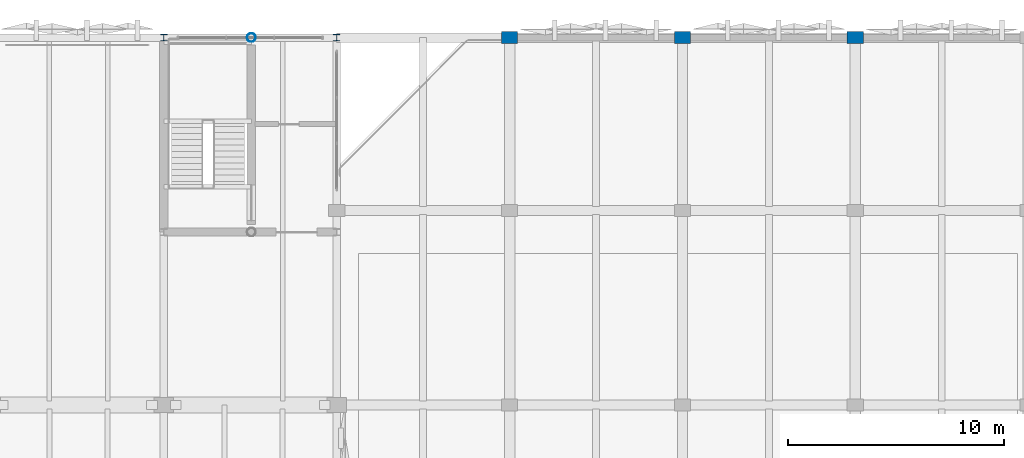
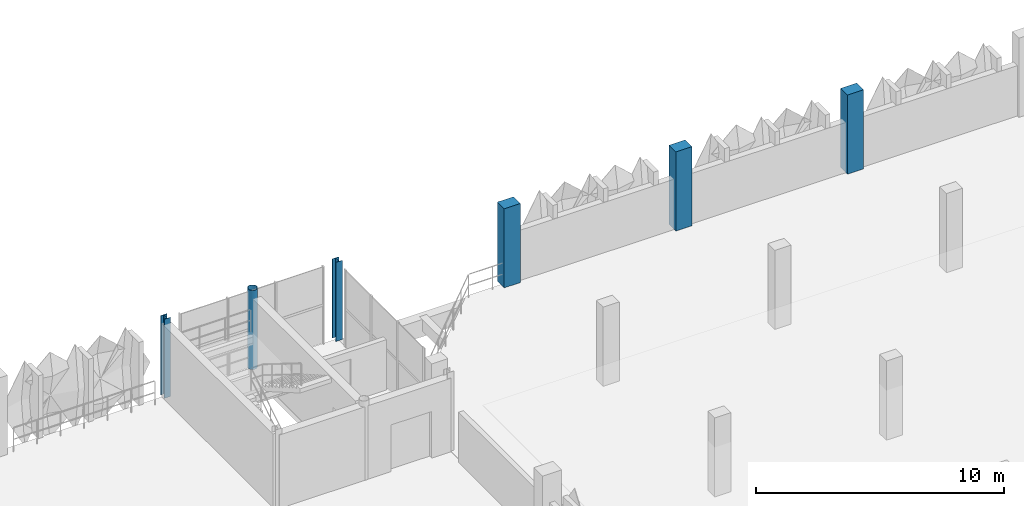
# One storey, part 19 of 123: 6 columns.
"""IFC4 building model written with IfcOpenShell, lengths in metres."""

import ifcopenshell
import ifcopenshell.guid

model = None  # the IFC model being written
_history = None  # IfcOwnerHistory: only IFC2X3 demands one
_inside = {}  # id of a spatial element -> (the spatial element, [elements in it])
_under = {}  # id of a project, library or spatial element -> (it, [spatial elements below it])
_declared = {}  # id of a project -> (the project, [libraries it declares])
_typed = {}  # id of a type object -> (the type object, [elements of that type])
_made_of = {}  # id of a material, layer set ... -> (it, [elements and type objects made of it])


def new_model(schema):
    """Start an empty IFC model of exactly this schema.

    Asked for "IFC4X3", IfcOpenShell would pick the latest addendum, in which some entities
    have other attributes; the version numbers below select the first issue.
    IFC2X3 requires an IfcOwnerHistory on every rooted entity: one is made here for all.
    """
    global model, _history
    if schema == "IFC4X3":
        model = ifcopenshell.file(schema_version=(4, 3, 0, 0))
    else:
        model = ifcopenshell.file(schema=schema)
    _inside.clear()
    _under.clear()
    _declared.clear()
    _typed.clear()
    _made_of.clear()
    _history = None
    if model.schema == "IFC2X3":
        org = make("IfcOrganization", Name="unknown")
        user = make(
            "IfcPersonAndOrganization",
            ThePerson=make("IfcPerson", FamilyName="unknown"),
            TheOrganization=org,
        )
        app = make(
            "IfcApplication",
            ApplicationDeveloper=org,
            Version="unknown",
            ApplicationFullName="unknown",
            ApplicationIdentifier="unknown",
        )
        _history = make(
            "IfcOwnerHistory",
            OwningUser=user,
            OwningApplication=app,
            ChangeAction="ADDED",
            CreationDate=0,
        )
    return model


def make(cls, **values):
    """One entity of the class cls with the attributes given. An attribute that is None is left unset."""
    return model.create_entity(
        cls, **{name: value for name, value in values.items() if value is not None}
    )


def rooted(cls, **values):
    """An entity with a GlobalId (a new one), such as an element, a storey or a relation."""
    return make(cls, GlobalId=ifcopenshell.guid.new(), OwnerHistory=_history, **values)


def si_unit(unit_type, name, prefix=None):
    """IfcSIUnit, for example si_unit("LENGTHUNIT", "METRE", prefix="MILLI")."""
    return make("IfcSIUnit", UnitType=unit_type, Prefix=prefix, Name=name)


def derived_unit(unit_type, elements):
    """IfcDerivedUnit: a product of units, each with its exponent."""
    return make(
        "IfcDerivedUnit",
        Elements=[
            make("IfcDerivedUnitElement", Unit=unit, Exponent=power)
            for unit, power in elements
        ],
        UnitType=unit_type,
    )


def assignment(units):
    """IfcUnitAssignment: the units of a project."""
    return None if units is None else make("IfcUnitAssignment", Units=units)


def point(xyz):
    """IfcCartesianPoint."""
    return None if xyz is None else make("IfcCartesianPoint", Coordinates=xyz)


def direction(xyz):
    """IfcDirection."""
    return None if xyz is None else make("IfcDirection", DirectionRatios=xyz)


def frame(location, z_axis=None, x_axis=None):
    """IfcAxis2Placement3D, a coordinate frame: its origin and axes. An axis left out is left unset."""
    return make(
        "IfcAxis2Placement3D",
        Location=point(location),
        Axis=direction(z_axis),
        RefDirection=direction(x_axis),
    )


def frame_2d(location, x_axis=None):
    """IfcAxis2Placement2D, a coordinate frame in the plane: its origin and x axis."""
    return make(
        "IfcAxis2Placement2D", Location=point(location), RefDirection=direction(x_axis)
    )


def origin():
    """The frame at (0, 0, 0) with its axes left unset."""
    return frame((0.0, 0.0, 0.0))


def origin_2d():
    """The frame at (0, 0) in the plane with its x axis left unset."""
    return frame_2d((0.0, 0.0))


def place(relative_to, where):
    """IfcLocalPlacement: puts the frame where relative to a parent placement (None: the world)."""
    return make(
        "IfcLocalPlacement", PlacementRelTo=relative_to, RelativePlacement=where
    )


def context(
    kind, dimensions, precision=None, world=None, true_north=None, identifier=None
):
    """IfcGeometricRepresentationContext, for example the 3D "Model" context."""
    return make(
        "IfcGeometricRepresentationContext",
        ContextIdentifier=identifier,
        ContextType=kind,
        CoordinateSpaceDimension=dimensions,
        Precision=precision,
        WorldCoordinateSystem=world,
        TrueNorth=true_north,
    )


def subcontext(parent, identifier, kind, view, scale=None):
    """IfcGeometricRepresentationSubContext, for example "Body" below "Model"."""
    return make(
        "IfcGeometricRepresentationSubContext",
        ContextIdentifier=identifier,
        ContextType=kind,
        ParentContext=parent,
        TargetScale=scale,
        TargetView=view,
    )


def project(units=None, contexts=None):
    """IfcProject with its units and contexts."""
    return rooted(
        "IfcProject",
        Name="project",
        RepresentationContexts=contexts,
        UnitsInContext=assignment(units),
    )


def spatial(cls, under=None, at=None, **own):
    """A site, building, storey or space (cls), placed at a placement, below another one or the project."""
    s = rooted(cls, ObjectPlacement=at, **own)
    if under is not None:
        _under.setdefault(under.id(), (under, []))[1].append(s)
    return s


def profile(cls, at=None, kind="AREA", **sizes):
    """A parametric profile (cls). Its sizes go by their IFC names, for example OverallWidth=200.0."""
    return make(cls, ProfileType=kind, Position=at, **sizes)


def rectangle(**sizes):
    """IfcRectangleProfileDef."""
    return profile("IfcRectangleProfileDef", **sizes)


def hollow_circle(**sizes):
    """IfcCircleHollowProfileDef."""
    return profile("IfcCircleHollowProfileDef", **sizes)


def i_section(**sizes):
    """IfcIShapeProfileDef."""
    return profile("IfcIShapeProfileDef", **sizes)


def extrude(swept, where, along, depth):
    """IfcExtrudedAreaSolid: the profile swept, set in the frame where, extruded along a direction by depth."""
    return make(
        "IfcExtrudedAreaSolid",
        SweptArea=swept,
        Position=where,
        ExtrudedDirection=direction(along),
        Depth=depth,
    )


def shape(context_of_items, identifier, shape_type, items):
    """IfcShapeRepresentation: the items that make up one representation, for example the "Body"."""
    return make(
        "IfcShapeRepresentation",
        ContextOfItems=context_of_items,
        RepresentationIdentifier=identifier,
        RepresentationType=shape_type,
        Items=items,
    )


def material(Name=None, Category=None):
    """IfcMaterial."""
    return make("IfcMaterial", Name=Name, Category=Category)


def material_profile(
    of_material, cross_section, Name=None, Category=None, Priority=None
):
    """IfcMaterialProfile: a cross section and its material."""
    return make(
        "IfcMaterialProfile",
        Name=Name,
        Material=of_material,
        Profile=cross_section,
        Priority=Priority,
        Category=Category,
    )


def profile_set(profiles, Name=None, composite=None):
    """IfcMaterialProfileSet."""
    return make(
        "IfcMaterialProfileSet",
        Name=Name,
        MaterialProfiles=profiles,
        CompositeProfile=composite,
    )


def made_of(thing, what):
    """Note that an element or type object is made of a material, layer set ...; save() writes the relation."""
    if what is not None:
        _made_of.setdefault(what.id(), (what, []))[1].append(thing)
    return thing


def type_object(cls, material=None, **own):
    """A type object (cls), such as IfcWallType, which elements share."""
    return made_of(rooted(cls, **own), material)


def element(
    cls,
    number,
    at=None,
    inside=None,
    cuts=None,
    type_object=None,
    material=None,
    context=None,
    identifier="Body",
    shape_type=None,
    held_by="IfcProductDefinitionShape",
    body=None,
    shapes=None,
    **own,
):
    """One element of the class cls, such as IfcWall. Its Tag is "e" and its number.

    at: its placement. inside: the storey or other place that contains it. cuts: it is an
    opening in that element (IfcRelVoidsElement). A single representation is given by context,
    identifier, shape_type and body (its items); several are given by shapes. held_by: the class
    of the entity that holds the representations. save() writes the other relations.
    """
    e = rooted(cls, Tag="e%d" % number, ObjectPlacement=at, **own)
    if body is not None:
        shapes = [shape(context, identifier, shape_type, body)]
    if shapes is not None:
        e.Representation = make(held_by, Representations=shapes)
    if inside is not None:
        _inside.setdefault(inside.id(), (inside, []))[1].append(e)
    if cuts is not None:
        rooted(
            "IfcRelVoidsElement", RelatingBuildingElement=cuts, RelatedOpeningElement=e
        )
    if type_object is not None:
        _typed.setdefault(type_object.id(), (type_object, []))[1].append(e)
    return made_of(e, material)


def aggregate(whole, parts):
    """IfcRelAggregates: a whole, such as a stair, and the parts it consists of."""
    return rooted("IfcRelAggregates", RelatingObject=whole, RelatedObjects=parts)


def save(model, path):
    """Write the relations noted so far, then the file.

    IfcRelAggregates (storeys below a building ...), IfcRelContainedInSpatialStructure (elements
    in a storey), IfcRelDefinesByType, IfcRelAssociatesMaterial and IfcRelDeclares: one each for
    every whole, place, type object, material and project.
    """
    for whole, parts in _under.values():
        aggregate(whole, parts)
    for where, things in _inside.values():
        rooted(
            "IfcRelContainedInSpatialStructure",
            RelatedElements=things,
            RelatingStructure=where,
        )
    for kind, things in _typed.values():
        rooted("IfcRelDefinesByType", RelatedObjects=things, RelatingType=kind)
    for what, things in _made_of.values():
        rooted("IfcRelAssociatesMaterial", RelatedObjects=things, RelatingMaterial=what)
    for by, libraries in _declared.values():
        rooted("IfcRelDeclares", RelatingContext=by, RelatedDefinitions=libraries)
    model.write(path)


model = new_model("IFC4")

# Units and contexts
model_context = context("Model", 3, precision=1e-05, world=origin(), true_north=direction((0.0, 1.0)))
body_context = subcontext(model_context, "Body", "Model", "MODEL_VIEW")
ifc_project = project(units=[si_unit("LENGTHUNIT", "METRE"), si_unit("AREAUNIT", "SQUARE_METRE"), si_unit("VOLUMEUNIT", "CUBIC_METRE"), si_unit("PLANEANGLEUNIT", "RADIAN"), si_unit("MASSUNIT", "GRAM", prefix="KILO"), si_unit("THERMODYNAMICTEMPERATUREUNIT", "KELVIN"), derived_unit("THERMALTRANSMITTANCEUNIT", [(si_unit("POWERUNIT", "WATT"), 1), (si_unit("AREAUNIT", "SQUARE_METRE"), -1), (si_unit("THERMODYNAMICTEMPERATUREUNIT", "KELVIN"), -1)])], contexts=[model_context])

# Site, building, storey
site_placement = place(None, origin())
site = spatial("IfcSite", under=ifc_project, at=site_placement, CompositionType="ELEMENT")
building_placement = place(site_placement, origin())
building = spatial("IfcBuilding", under=site, at=building_placement, Name="Haiyu Intermodal Mobility Hub", CompositionType="ELEMENT")
storey_placement = place(building_placement, frame((0.0, 0.0, 5.60009765625)))
storey = spatial("IfcBuildingStorey", under=building, at=storey_placement, Name="L01", CompositionType="ELEMENT", Elevation=5.60009765625)

# Columns
ifc_material_1 = material(Name="Concrete C40", Category="concrete")
ifc_material_profile_1 = material_profile(ifc_material_1, rectangle(XDim=0.75, YDim=0.550048828125, at=origin_2d()), Name="C750x550")
ifc_profile_set_1 = profile_set([ifc_material_profile_1], Name="Concrete C40")
column_type_1 = type_object("IfcColumnType", Name="COL-CC15-EXT", PredefinedType="COLUMN", material=ifc_profile_set_1)
for number, where, z_axis, x_axis, name in (
    (1, (170.0, 148.0, 0.0), (0.0, 0.0, 1.0), (1.0, 0.0, 0.0), "Column V6-19S L01"),
    (2, (178.0, 148.0, 0.0), (0.0, 0.0, 1.0), (1.0, 0.0, 0.0), "Column V6-20S L01"),
    (3, (186.0, 148.0, 0.0), (0.0, 0.0, 1.0), (1.0, 0.0, 0.0), "Column V6-21S L01"),
):
    element("IfcColumn", number, at=place(storey_placement, frame(where, z_axis=z_axis, x_axis=x_axis)), inside=storey, type_object=column_type_1, Name=name, PredefinedType="COLUMN", context=body_context, shape_type="SweptSolid", body=[
        extrude(rectangle(XDim=0.75, YDim=0.550048828125, at=origin_2d()), origin(), (0.0, 0.0, 1.0), 3.89990234375),
    ])
ifc_material_2 = material(Name="Steel Q355C", Category="steel")
ifc_material_profile_2 = material_profile(ifc_material_2, hollow_circle(Radius=0.202880859375, WallThickness=0.013916015625, at=origin_2d()), Name="CHS406x14")
ifc_profile_set_2 = profile_set([ifc_material_profile_2], Name="Steel Q355C")
column_type_2 = type_object("IfcColumnType", Name="COL-SC03-EXT", PredefinedType="COLUMN", material=ifc_profile_set_2)
column_placement = place(storey_placement, frame((158.050048828125, 148.0, 0.0), z_axis=(0.0, 0.0, 1.0), x_axis=(1.0, 0.0, 0.0)))
element("IfcColumn", 4, at=column_placement, inside=storey, type_object=column_type_2, Name="Column C4-MN L01", PredefinedType="COLUMN", context=body_context, shape_type="SweptSolid", body=[
    extrude(hollow_circle(Radius=0.202880859375, WallThickness=0.013916015625, at=origin_2d()), origin(), (0.0, 0.0, 1.0), 3.89990234375),
])
ifc_material_profile_3 = material_profile(ifc_material_2, i_section(OverallWidth=0.300048828125, OverallDepth=0.300048828125, WebThickness=0.010009765625, FlangeThickness=0.014892578125, FilletRadius=0.01806640625, at=origin_2d()), Name="HW300x300x10x15")
ifc_profile_set_3 = profile_set([ifc_material_profile_3], Name="Steel Q355C")
column_type_3 = type_object("IfcColumnType", Name="COL-SC07-EXT", PredefinedType="COLUMN", material=ifc_profile_set_3)
for number, where, z_axis, x_axis, name in (
    (5, (154.0, 148.0, 0.0), (0.0, 0.0, 1.0), (1.0, 0.0, 0.0), "Column C4-NW L01"),
    (6, (162.0, 148.0, 0.0), (0.0, 0.0, 1.0), (1.0, 0.0, 0.0), "Column C4-NE L01"),
):
    element("IfcColumn", number, at=place(storey_placement, frame(where, z_axis=z_axis, x_axis=x_axis)), inside=storey, type_object=column_type_3, Name=name, PredefinedType="COLUMN", context=body_context, shape_type="SweptSolid", body=[
        extrude(i_section(OverallWidth=0.300048828125, OverallDepth=0.300048828125, WebThickness=0.010009765625, FlangeThickness=0.014892578125, FilletRadius=0.01806640625, at=origin_2d()), origin(), (0.0, 0.0, 1.0), 3.89990234375),
    ])

save(model, "model.ifc")
